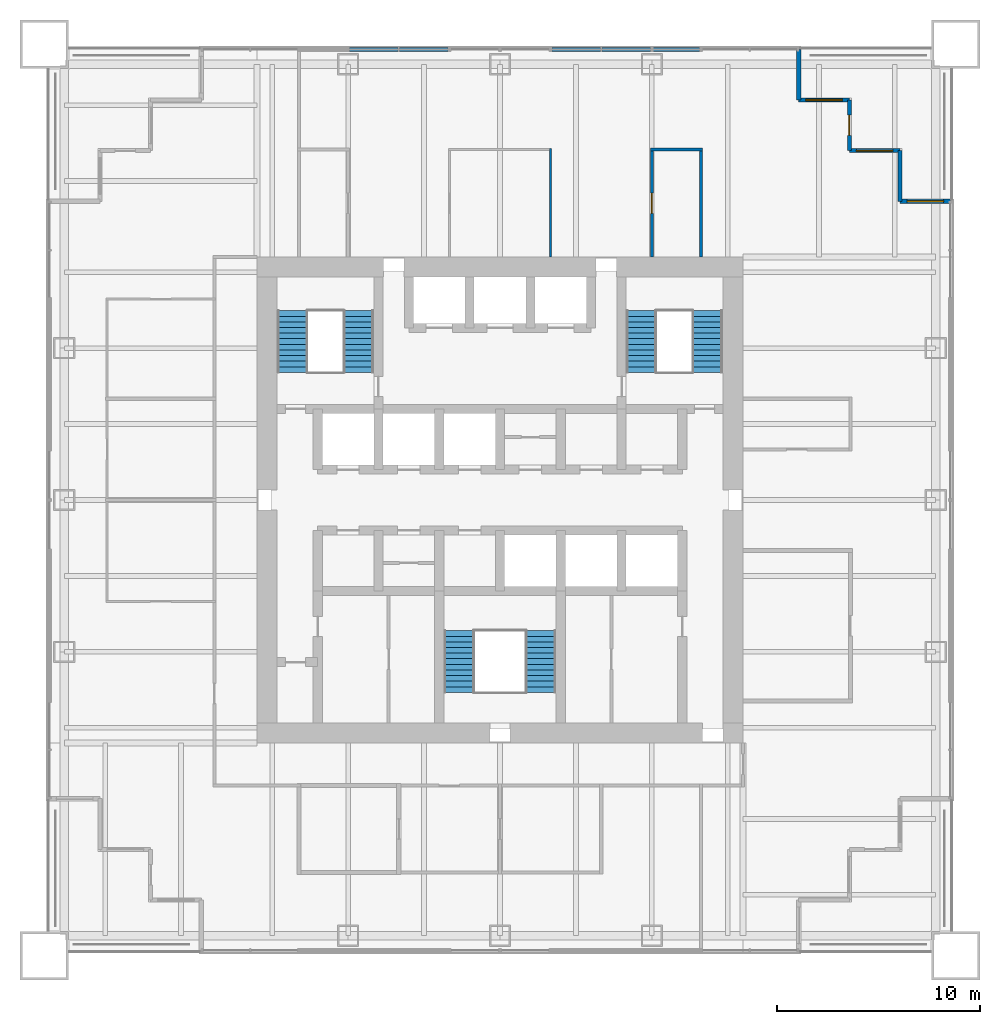
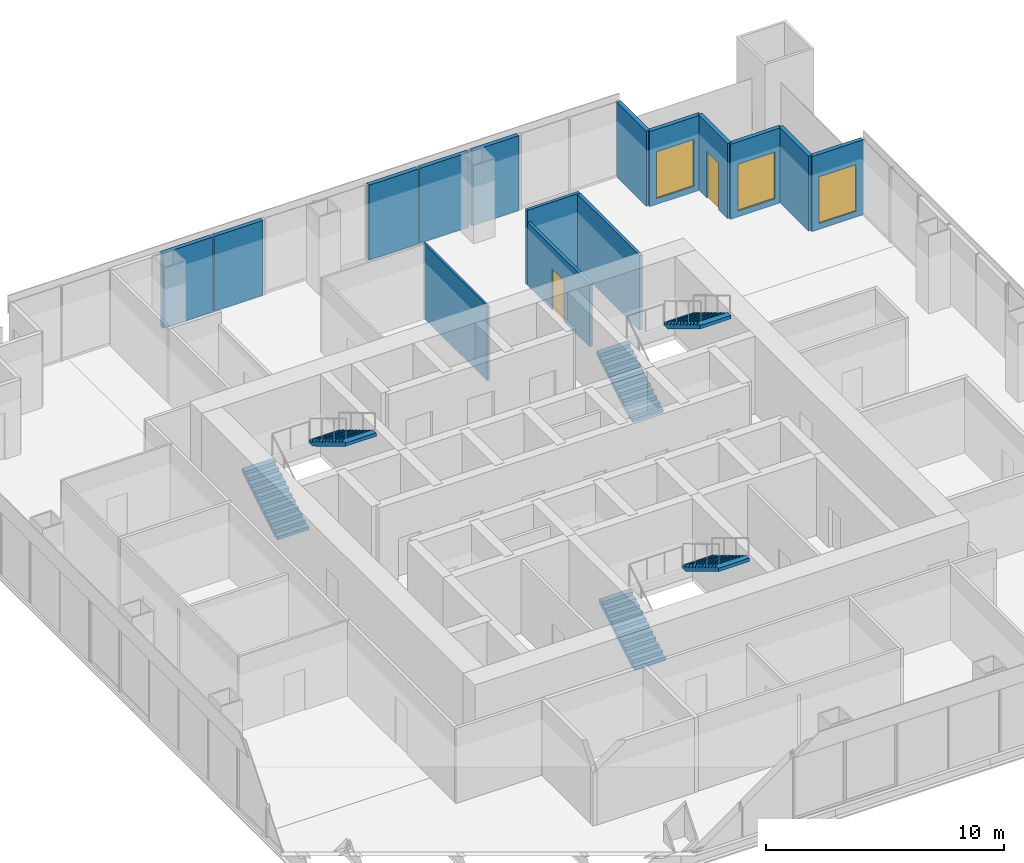
# One storey, part 11 of 13: 15 walls, 6 stair flights, 3 windows, 2 doors, 5 openings, 3 elements without a shape of their own.
"""IFC4 building model written with IfcOpenShell, lengths in metres."""

from ifc_helpers import new_model, si_unit, direction, frame, frame_2d, origin, place, context, subcontext, project, spatial, polyline, rectangle, outline, extrude, material, layer, layer_set, type_object, element, fill, aggregate, save


model = new_model("IFC4")

# Units and contexts
model_context = context("Model", 3, precision=1e-05, world=origin(), true_north=direction((0.0, 1.0)))
body_context = subcontext(model_context, "Body", "Model", "MODEL_VIEW")
ifc_project = project(units=[si_unit("LENGTHUNIT", "METRE"), si_unit("AREAUNIT", "SQUARE_METRE"), si_unit("VOLUMEUNIT", "CUBIC_METRE"), si_unit("PLANEANGLEUNIT", "RADIAN"), si_unit("MASSUNIT", "GRAM", prefix="KILO")], contexts=[model_context])

# Site, building, storey
site_placement = place(None, origin())
site = spatial("IfcSite", under=ifc_project, at=site_placement, CompositionType="ELEMENT")
building_placement = place(site_placement, origin())
building = spatial("IfcBuilding", under=site, at=building_placement, Name="Tarangal Relay Tower", CompositionType="ELEMENT")
storey_placement = place(building_placement, frame((0.0, 0.0, 237.89990234375)))
storey = spatial("IfcBuildingStorey", under=building, at=storey_placement, Name="L51", CompositionType="ELEMENT", Elevation=237.89990234375)

# Wall
ifc_material_1 = material(Name="Black metal clad insulated wall", Category="steel")
ifc_layer_1 = layer(ifc_material_1, 0.199951171875)
ifc_layer_set_1 = layer_set([ifc_layer_1], Name="Corner wall metal clad 200")
wall_type_1 = type_object("IfcWallType", Name="Corner wall metal clad 200", PredefinedType="SOLIDWALL", material=ifc_layer_set_1)
wall_1_placement = place(storey_placement, frame((14.75, 22.25, 0.0), z_axis=(0.0, 0.0, 1.0), x_axis=(0.0, -1.0, 0.0)))
element("IfcWall", 1, at=wall_1_placement, inside=storey, type_object=wall_type_1, Name="Facade wall N facade L51", PredefinedType="SOLIDWALL", context=body_context, shape_type="SweptSolid", body=[
    extrude(rectangle(XDim=2.5, YDim=0.199951171875, at=frame_2d((1.25, 0.0))), origin(), (0.0, 0.0, 1.0), 3.85009765625),
])

# Wall, opening, window
wall_2_placement = place(storey_placement, frame((14.75, 19.75, 0.0), z_axis=(0.0, 0.0, 1.0), x_axis=(1.0, 0.0, 0.0)))
wall_2 = element("IfcWall", 2, at=wall_2_placement, inside=storey, type_object=wall_type_1, Name="Facade wall N facade L51", PredefinedType="SOLIDWALL", context=body_context, shape_type="SweptSolid", body=[
    extrude(rectangle(XDim=2.5, YDim=0.199951171875, at=frame_2d((1.25, 0.0))), origin(), (0.0, 0.0, 1.0), 3.85009765625),
])
opening_1_placement = place(wall_2_placement, frame((0.35009765625, 0.0, 0.300048828125)))
opening_1 = element("IfcOpeningElement", 3, at=opening_1_placement, cuts=wall_2, Name="Opening WN2", PredefinedType="OPENING", context=body_context, shape_type="SweptSolid", body=[
    extrude(rectangle(XDim=1.800048828125, YDim=2.39990234375, at=frame_2d((0.89990234375, 1.199951171875))), frame((0.0, 0.10986328125, 0.0), z_axis=(0.0, -1.0, 0.0), x_axis=(1.0, 0.0, 0.0)), (0.0, 0.0, 1.0), 0.219970703125),
])
ifc_material_2 = material(Name="Dark tinted double glazing in black aluminium frame", Category="aluminium")
window_type = type_object("IfcWindowType", Name="Corner window 1800 x 2400", PartitioningType="SINGLE_PANEL", PredefinedType="WINDOW", material=ifc_material_2)
window_1_placement = place(opening_1_placement, origin())
window_1 = element("IfcWindow", 4, at=window_1_placement, inside=storey, type_object=window_type, Name="Corner window WN2 N facade L51", OverallHeight=2.39990234375, OverallWidth=1.800048828125, PartitioningType="SINGLE_PANEL", PredefinedType="WINDOW", context=body_context, shape_type="SweptSolid", body=[
    extrude(rectangle(XDim=1.800048828125, YDim=2.39990234375, at=frame_2d((0.89990234375, 1.199951171875))), frame((0.0, 0.030029296875, 0.0), z_axis=(0.0, -1.0, 0.0), x_axis=(1.0, 0.0, 0.0)), (0.0, 0.0, 1.0), 0.06005859375),
])
fill(opening_1, window_1)

# Wall, opening, door
wall_3_placement = place(storey_placement, frame((17.25, 19.75, 0.0), z_axis=(0.0, 0.0, 1.0), x_axis=(0.0, -1.0, 0.0)))
wall_3 = element("IfcWall", 5, at=wall_3_placement, inside=storey, type_object=wall_type_1, Name="Facade wall N facade L51", PredefinedType="SOLIDWALL", context=body_context, shape_type="SweptSolid", body=[
    extrude(rectangle(XDim=2.5, YDim=0.199951171875, at=frame_2d((1.25, 0.0))), origin(), (0.0, 0.0, 1.0), 3.85009765625),
])
opening_2_placement = place(wall_3_placement, frame((0.75, 0.0, 0.0)))
opening_2 = element("IfcOpeningElement", 6, at=opening_2_placement, cuts=wall_3, Name="Opening TD1", PredefinedType="OPENING", context=body_context, shape_type="SweptSolid", body=[
    extrude(rectangle(XDim=1.0, YDim=2.39990234375, at=frame_2d((0.5, 1.199951171875))), frame((0.0, 0.10986328125, 0.0), z_axis=(0.0, -1.0, 0.0), x_axis=(1.0, 0.0, 0.0)), (0.0, 0.0, 1.0), 0.219970703125),
])
ifc_material_3 = material(Name="Aluminium glazed door", Category="aluminium")
door_type_1 = type_object("IfcDoorType", Name="Terrace door 1000 x 2400", OperationType="SINGLE_SWING_RIGHT", PredefinedType="DOOR", material=ifc_material_3)
door_1_placement = place(opening_2_placement, origin())
door_1 = element("IfcDoor", 7, at=door_1_placement, inside=storey, type_object=door_type_1, Name="Terrace door TD1 NE L51", OperationType="SINGLE_SWING_RIGHT", OverallHeight=2.39990234375, OverallWidth=1.0, PredefinedType="DOOR", context=body_context, shape_type="SweptSolid", body=[
    extrude(rectangle(XDim=1.0, YDim=2.39990234375, at=frame_2d((0.5, 1.199951171875))), frame((0.0, 0.02490234375, 0.0), z_axis=(0.0, -1.0, 0.0), x_axis=(1.0, 0.0, 0.0)), (0.0, 0.0, 1.0), 0.050048828125),
])
fill(opening_2, door_1)

# Wall, opening, window
wall_4_placement = place(storey_placement, frame((17.25, 17.25, 0.0), z_axis=(0.0, 0.0, 1.0), x_axis=(1.0, 0.0, 0.0)))
wall_4 = element("IfcWall", 8, at=wall_4_placement, inside=storey, type_object=wall_type_1, Name="Facade wall N facade L51", PredefinedType="SOLIDWALL", context=body_context, shape_type="SweptSolid", body=[
    extrude(rectangle(XDim=2.5, YDim=0.199951171875, at=frame_2d((1.25, 0.0))), origin(), (0.0, 0.0, 1.0), 3.85009765625),
])
opening_3_placement = place(wall_4_placement, frame((0.35009765625, 0.0, 0.300048828125)))
opening_3 = element("IfcOpeningElement", 9, at=opening_3_placement, cuts=wall_4, Name="Opening WN2", PredefinedType="OPENING", context=body_context, shape_type="SweptSolid", body=[
    extrude(rectangle(XDim=1.800048828125, YDim=2.39990234375, at=frame_2d((0.89990234375, 1.199951171875))), frame((0.0, 0.10986328125, 0.0), z_axis=(0.0, -1.0, 0.0), x_axis=(1.0, 0.0, 0.0)), (0.0, 0.0, 1.0), 0.219970703125),
])
window_2_placement = place(opening_3_placement, origin())
window_2 = element("IfcWindow", 10, at=window_2_placement, inside=storey, type_object=window_type, Name="Corner window WN2 N facade L51", OverallHeight=2.39990234375, OverallWidth=1.800048828125, PartitioningType="SINGLE_PANEL", PredefinedType="WINDOW", context=body_context, shape_type="SweptSolid", body=[
    extrude(rectangle(XDim=1.800048828125, YDim=2.39990234375, at=frame_2d((0.89990234375, 1.199951171875))), frame((0.0, 0.030029296875, 0.0), z_axis=(0.0, -1.0, 0.0), x_axis=(1.0, 0.0, 0.0)), (0.0, 0.0, 1.0), 0.06005859375),
])
fill(opening_3, window_2)

# Wall
wall_5_placement = place(storey_placement, frame((19.75, 17.25, 0.0), z_axis=(0.0, 0.0, 1.0), x_axis=(0.0, -1.0, 0.0)))
element("IfcWall", 11, at=wall_5_placement, inside=storey, type_object=wall_type_1, Name="Facade wall N facade L51", PredefinedType="SOLIDWALL", context=body_context, shape_type="SweptSolid", body=[
    extrude(rectangle(XDim=2.5, YDim=0.199951171875, at=frame_2d((1.25, 0.0))), origin(), (0.0, 0.0, 1.0), 3.85009765625),
])

# Wall, opening, window
wall_6_placement = place(storey_placement, frame((19.75, 14.75, 0.0), z_axis=(0.0, 0.0, 1.0), x_axis=(1.0, 0.0, 0.0)))
wall_6 = element("IfcWall", 12, at=wall_6_placement, inside=storey, type_object=wall_type_1, Name="Facade wall N facade L51", PredefinedType="SOLIDWALL", context=body_context, shape_type="SweptSolid", body=[
    extrude(rectangle(XDim=2.5, YDim=0.199951171875, at=frame_2d((1.25, 0.0))), origin(), (0.0, 0.0, 1.0), 3.85009765625),
])
opening_4_placement = place(wall_6_placement, frame((0.35009765625, 0.0, 0.300048828125)))
opening_4 = element("IfcOpeningElement", 13, at=opening_4_placement, cuts=wall_6, Name="Opening WN2", PredefinedType="OPENING", context=body_context, shape_type="SweptSolid", body=[
    extrude(rectangle(XDim=1.800048828125, YDim=2.39990234375, at=frame_2d((0.89990234375, 1.199951171875))), frame((0.0, 0.10986328125, 0.0), z_axis=(0.0, -1.0, 0.0), x_axis=(1.0, 0.0, 0.0)), (0.0, 0.0, 1.0), 0.219970703125),
])
window_3_placement = place(opening_4_placement, origin())
window_3 = element("IfcWindow", 14, at=window_3_placement, inside=storey, type_object=window_type, Name="Corner window WN2 N facade L51", OverallHeight=2.39990234375, OverallWidth=1.800048828125, PartitioningType="SINGLE_PANEL", PredefinedType="WINDOW", context=body_context, shape_type="SweptSolid", body=[
    extrude(rectangle(XDim=1.800048828125, YDim=2.39990234375, at=frame_2d((0.89990234375, 1.199951171875))), frame((0.0, 0.030029296875, 0.0), z_axis=(0.0, -1.0, 0.0), x_axis=(1.0, 0.0, 0.0)), (0.0, 0.0, 1.0), 0.06005859375),
])
fill(opening_4, window_3)

# Walls
ifc_layer_2 = layer(ifc_material_1, 0.199951171875)
ifc_layer_set_2 = layer_set([ifc_layer_2], Name="Facade infill wall metal clad 200")
wall_type_2 = type_object("IfcWallType", Name="Facade infill wall metal clad 200", PredefinedType="SOLIDWALL", material=ifc_layer_set_2)
for number, where, z_axis, x_axis, name in (
    (15, (-7.43505859375, 22.25, 0.0), (0.0, 0.0, 1.0), (1.0, 0.0, 0.0), "Facade infill wall N facade L51 1.1"),
    (16, (-4.967529296875, 22.25, 0.0), (0.0, 0.0, 1.0), (1.0, 0.0, 0.0), "Facade infill wall N facade L51 2.1"),
    (17, (2.56494140625, 22.25, 0.0), (0.0, 0.0, 1.0), (1.0, 0.0, 0.0), "Facade infill wall N facade L51 1.1"),
    (18, (5.032470703125, 22.25, 0.0), (0.0, 0.0, 1.0), (1.0, 0.0, 0.0), "Facade infill wall N facade L51 2.1"),
):
    element("IfcWall", number, at=place(storey_placement, frame(where, z_axis=z_axis, x_axis=x_axis)), inside=storey, type_object=wall_type_2, Name=name, PredefinedType="SOLIDWALL", context=body_context, shape_type="SweptSolid", body=[
        extrude(rectangle(XDim=2.402587890625, YDim=0.199951171875, at=frame_2d((1.201171875, 0.0))), origin(), (0.0, 0.0, 1.0), 3.85009765625),
    ])
wall_7_placement = place(storey_placement, frame((7.56494140625, 22.25, 0.0), z_axis=(0.0, 0.0, 1.0), x_axis=(1.0, 0.0, 0.0)))
element("IfcWall", 19, at=wall_7_placement, inside=storey, type_object=wall_type_2, Name="Facade infill wall N facade L51 1.1", PredefinedType="SOLIDWALL", context=body_context, shape_type="SweptSolid", body=[
    extrude(rectangle(XDim=2.286865234375, YDim=0.199951171875, at=frame_2d((1.1435546875, 0.0))), origin(), (0.0, 0.0, 1.0), 3.85009765625),
])
ifc_material_4 = material(Name="Double glazed aluminium framed partition", Category="aluminium")
ifc_layer_3 = layer(ifc_material_4, 0.10009765625)
ifc_layer_set_3 = layer_set([ifc_layer_3], Name="Glazed partition 100")
wall_type_3 = type_object("IfcWallType", Name="Glazed partition 100", PredefinedType="PARTITIONING", material=ifc_layer_set_3)
wall_8_placement = place(storey_placement, frame((2.5, 12.0, 0.0), z_axis=(0.0, 0.0, 1.0), x_axis=(0.0, 1.0, 0.0)))
element("IfcWall", 20, at=wall_8_placement, inside=storey, type_object=wall_type_3, Name="Partition PT3 L51", PredefinedType="PARTITIONING", context=body_context, shape_type="SweptSolid", body=[
    extrude(rectangle(XDim=5.35009765625, YDim=0.10009765625, at=frame_2d((2.675048828125, 0.0))), origin(), (0.0, 0.0, 1.0), 3.85009765625),
])
ifc_material_5 = material(Name="Gypsum board on steel studs", Category="steel")
ifc_layer_4 = layer(ifc_material_5, 0.14990234375)
ifc_layer_set_4 = layer_set([ifc_layer_4], Name="Partition 150")
wall_type_4 = type_object("IfcWallType", Name="Partition 150", PredefinedType="PARTITIONING", material=ifc_layer_set_4)
wall_9_placement = place(storey_placement, frame((7.425048828125, 17.300048828125, 0.0), z_axis=(0.0, 0.0, 1.0), x_axis=(1.0, 0.0, 0.0)))
element("IfcWall", 21, at=wall_9_placement, inside=storey, type_object=wall_type_4, Name="Partition PT1 L51", PredefinedType="PARTITIONING", context=body_context, shape_type="SweptSolid", body=[
    extrude(rectangle(XDim=2.56689453125, YDim=0.14990234375, at=frame_2d((1.283447265625, 0.0))), origin(), (0.0, 0.0, 1.0), 3.85009765625),
])

# Wall, opening, door
wall_10_placement = place(storey_placement, frame((7.5, 12.0, 0.0), z_axis=(0.0, 0.0, 1.0), x_axis=(0.0, 1.0, 0.0)))
wall_10 = element("IfcWall", 22, at=wall_10_placement, inside=storey, type_object=wall_type_4, Name="Partition PT1 L51", PredefinedType="PARTITIONING", context=body_context, shape_type="SweptSolid", body=[
    extrude(rectangle(XDim=5.375, YDim=0.14990234375, at=frame_2d((2.6875, 0.0))), origin(), (0.0, 0.0, 1.0), 3.238037109375),
])
opening_5_placement = place(wall_10_placement, frame((2.14990234375, 0.0, 0.0)))
opening_5 = element("IfcOpeningElement", 23, at=opening_5_placement, cuts=wall_10, Name="Opening D2", PredefinedType="OPENING", context=body_context, shape_type="SweptSolid", body=[
    extrude(rectangle(XDim=1.0, YDim=2.10009765625, at=frame_2d((0.5, 1.050048828125))), frame((0.0, 0.0849609375, 0.0), z_axis=(0.0, -1.0, 0.0), x_axis=(1.0, 0.0, 0.0)), (0.0, 0.0, 1.0), 0.169921875),
])
ifc_material_6 = material(Name="Hardwood door", Category="wood")
door_type_2 = type_object("IfcDoorType", Name="Door 1000 x 2100", OperationType="SINGLE_SWING_LEFT", PredefinedType="DOOR", material=ifc_material_6)
door_2_placement = place(opening_5_placement, origin())
door_2 = element("IfcDoor", 24, at=door_2_placement, inside=storey, type_object=door_type_2, Name="Door D2 to cellular office L51-04", OperationType="SINGLE_SWING_LEFT", OverallHeight=2.10009765625, OverallWidth=1.0, PredefinedType="DOOR", context=body_context, shape_type="SweptSolid", body=[
    extrude(rectangle(XDim=1.0, YDim=2.10009765625, at=frame_2d((0.5, 1.050048828125))), frame((0.0, 0.02490234375, 0.0), z_axis=(0.0, -1.0, 0.0), x_axis=(1.0, 0.0, 0.0)), (0.0, 0.0, 1.0), 0.050048828125),
])
fill(opening_5, door_2)

# Wall
wall_11_placement = place(storey_placement, frame((9.9169921875, 12.0, 0.0), z_axis=(0.0, 0.0, 1.0), x_axis=(0.0, 1.0, 0.0)))
element("IfcWall", 25, at=wall_11_placement, inside=storey, type_object=wall_type_4, Name="Partition PT1 L51", PredefinedType="PARTITIONING", context=body_context, shape_type="SweptSolid", body=[
    extrude(rectangle(XDim=5.375, YDim=0.14990234375, at=frame_2d((2.6875, 0.0))), origin(), (0.0, 0.0, 1.0), 3.85009765625),
])

# Stair, stair flights
ifc_material_7 = material(Name="Steel ASTM A992 stair flight", Category="steel")
stair_type = type_object("IfcStairType", Name="Core stair 1500", PredefinedType="HALF_TURN_STAIR", material=ifc_material_7)
stair_1_placement = place(storey_placement, origin())
stair_1 = element("IfcStair", 26, at=stair_1_placement, inside=storey, type_object=stair_type, Name="Stair ST-A L51", PredefinedType="HALF_TURN_STAIR")
stair_flight_type = type_object("IfcStairFlightType", Name="Steel stair flight 1500, 12 risers 167 x 277", PredefinedType="STRAIGHT", material=ifc_material_7)
stair_flight_1_placement = place(storey_placement, frame((-10.25, 6.300048828125, 0.0), z_axis=(0.0, 0.0, 1.0), x_axis=(0.0, 1.0, 0.0)))
stair_flight_1 = element("IfcStairFlight", 27, at=stair_flight_1_placement, type_object=stair_flight_type, Name="ST-A flight 1", NumberOfRisers=12, NumberOfTreads=11, PredefinedType="STRAIGHT", RiserHeight=0.166666667, TreadLength=0.277, context=body_context, shape_type="SweptSolid", body=[
    extrude(outline(polyline([(0.0, 0.0), (0.0, 0.166748046875), (0.277099609375, 0.166748046875), (0.277099609375, 0.333251953125), (0.553955078125, 0.333251953125), (0.553955078125, 0.5), (0.8310546875, 0.5), (0.8310546875, 0.666748046875), (1.10791015625, 0.666748046875), (1.10791015625, 0.833251953125), (1.385009765625, 0.833251953125), (1.385009765625, 1.0), (1.662109375, 1.0), (1.662109375, 1.166748046875), (1.93896484375, 1.166748046875), (1.93896484375, 1.333251953125), (2.216064453125, 1.333251953125), (2.216064453125, 1.5), (2.492919921875, 1.5), (2.492919921875, 1.666748046875), (2.77001953125, 1.666748046875), (2.77001953125, 1.833251953125), (3.047119140625, 1.833251953125), (3.047119140625, 2.0), (3.047119140625, 1.658447265625), (0.290771484375, 0.0), (0.0, 0.0)])), frame((0.0, 0.75, 0.0), z_axis=(0.0, -1.0, 0.0), x_axis=(1.0, 0.0, 0.0)), (0.0, 0.0, 1.0), 1.5),
])
stair_flight_2_placement = place(storey_placement, frame((-6.97509765625, 9.346923828125, 2.0), z_axis=(0.0, 0.0, 1.0), x_axis=(0.0, -1.0, 0.0)))
stair_flight_2 = element("IfcStairFlight", 28, at=stair_flight_2_placement, type_object=stair_flight_type, Name="ST-A flight 2", NumberOfRisers=12, NumberOfTreads=11, PredefinedType="STRAIGHT", RiserHeight=0.166666667, TreadLength=0.277, context=body_context, shape_type="SweptSolid", body=[
    extrude(outline(polyline([(0.0, 0.0), (0.0, 0.166748046875), (0.277099609375, 0.166748046875), (0.277099609375, 0.333251953125), (0.553955078125, 0.333251953125), (0.553955078125, 0.5), (0.8310546875, 0.5), (0.8310546875, 0.666748046875), (1.10791015625, 0.666748046875), (1.10791015625, 0.833251953125), (1.385009765625, 0.833251953125), (1.385009765625, 1.0), (1.662109375, 1.0), (1.662109375, 1.166748046875), (1.93896484375, 1.166748046875), (1.93896484375, 1.333251953125), (2.216064453125, 1.333251953125), (2.216064453125, 1.5), (2.492919921875, 1.5), (2.492919921875, 1.666748046875), (2.77001953125, 1.666748046875), (2.77001953125, 1.833251953125), (3.047119140625, 1.833251953125), (3.047119140625, 2.0), (3.047119140625, 1.658447265625), (0.290771484375, 0.0), (0.0, 0.0)])), frame((0.0, 0.75, 0.0), z_axis=(0.0, -1.0, 0.0), x_axis=(1.0, 0.0, 0.0)), (0.0, 0.0, 1.0), 1.5),
])
aggregate(stair_1, [stair_flight_1, stair_flight_2])

stair_2_placement = place(storey_placement, origin())
stair_2 = element("IfcStair", 29, at=stair_2_placement, inside=storey, type_object=stair_type, Name="Stair ST-B L51", PredefinedType="HALF_TURN_STAIR")
stair_flight_3_placement = place(storey_placement, frame((6.97509765625, 6.300048828125, 0.0), z_axis=(0.0, 0.0, 1.0), x_axis=(0.0, 1.0, 0.0)))
stair_flight_3 = element("IfcStairFlight", 30, at=stair_flight_3_placement, type_object=stair_flight_type, Name="ST-B flight 1", NumberOfRisers=12, NumberOfTreads=11, PredefinedType="STRAIGHT", RiserHeight=0.166666667, TreadLength=0.277, context=body_context, shape_type="SweptSolid", body=[
    extrude(outline(polyline([(0.0, 0.0), (0.0, 0.166748046875), (0.277099609375, 0.166748046875), (0.277099609375, 0.333251953125), (0.553955078125, 0.333251953125), (0.553955078125, 0.5), (0.8310546875, 0.5), (0.8310546875, 0.666748046875), (1.10791015625, 0.666748046875), (1.10791015625, 0.833251953125), (1.385009765625, 0.833251953125), (1.385009765625, 1.0), (1.662109375, 1.0), (1.662109375, 1.166748046875), (1.93896484375, 1.166748046875), (1.93896484375, 1.333251953125), (2.216064453125, 1.333251953125), (2.216064453125, 1.5), (2.492919921875, 1.5), (2.492919921875, 1.666748046875), (2.77001953125, 1.666748046875), (2.77001953125, 1.833251953125), (3.047119140625, 1.833251953125), (3.047119140625, 2.0), (3.047119140625, 1.658447265625), (0.290771484375, 0.0), (0.0, 0.0)])), frame((0.0, 0.75, 0.0), z_axis=(0.0, -1.0, 0.0), x_axis=(1.0, 0.0, 0.0)), (0.0, 0.0, 1.0), 1.5),
])
stair_flight_4_placement = place(storey_placement, frame((10.25, 9.346923828125, 2.0), z_axis=(0.0, 0.0, 1.0), x_axis=(0.0, -1.0, 0.0)))
stair_flight_4 = element("IfcStairFlight", 31, at=stair_flight_4_placement, type_object=stair_flight_type, Name="ST-B flight 2", NumberOfRisers=12, NumberOfTreads=11, PredefinedType="STRAIGHT", RiserHeight=0.166666667, TreadLength=0.277, context=body_context, shape_type="SweptSolid", body=[
    extrude(outline(polyline([(0.0, 0.0), (0.0, 0.166748046875), (0.277099609375, 0.166748046875), (0.277099609375, 0.333251953125), (0.553955078125, 0.333251953125), (0.553955078125, 0.5), (0.8310546875, 0.5), (0.8310546875, 0.666748046875), (1.10791015625, 0.666748046875), (1.10791015625, 0.833251953125), (1.385009765625, 0.833251953125), (1.385009765625, 1.0), (1.662109375, 1.0), (1.662109375, 1.166748046875), (1.93896484375, 1.166748046875), (1.93896484375, 1.333251953125), (2.216064453125, 1.333251953125), (2.216064453125, 1.5), (2.492919921875, 1.5), (2.492919921875, 1.666748046875), (2.77001953125, 1.666748046875), (2.77001953125, 1.833251953125), (3.047119140625, 1.833251953125), (3.047119140625, 2.0), (3.047119140625, 1.658447265625), (0.290771484375, 0.0), (0.0, 0.0)])), frame((0.0, 0.75, 0.0), z_axis=(0.0, -1.0, 0.0), x_axis=(1.0, 0.0, 0.0)), (0.0, 0.0, 1.0), 1.5),
])
aggregate(stair_2, [stair_flight_3, stair_flight_4])

stair_3_placement = place(storey_placement, origin())
stair_3 = element("IfcStair", 32, at=stair_3_placement, inside=storey, type_object=stair_type, Name="Stair ST-C L51", PredefinedType="HALF_TURN_STAIR")
stair_flight_5_placement = place(storey_placement, frame((-2.02490234375, -9.5, 0.0), z_axis=(0.0, 0.0, 1.0), x_axis=(0.0, 1.0, 0.0)))
stair_flight_5 = element("IfcStairFlight", 33, at=stair_flight_5_placement, type_object=stair_flight_type, Name="ST-C flight 1", NumberOfRisers=12, NumberOfTreads=11, PredefinedType="STRAIGHT", RiserHeight=0.166666667, TreadLength=0.277, context=body_context, shape_type="SweptSolid", body=[
    extrude(outline(polyline([(0.0, 0.0), (0.0, 0.166748046875), (0.277099609375, 0.166748046875), (0.277099609375, 0.333251953125), (0.553955078125, 0.333251953125), (0.553955078125, 0.5), (0.8310546875, 0.5), (0.8310546875, 0.666748046875), (1.10791015625, 0.666748046875), (1.10791015625, 0.833251953125), (1.385009765625, 0.833251953125), (1.385009765625, 1.0), (1.662109375, 1.0), (1.662109375, 1.166748046875), (1.93896484375, 1.166748046875), (1.93896484375, 1.333251953125), (2.216064453125, 1.333251953125), (2.216064453125, 1.5), (2.492919921875, 1.5), (2.492919921875, 1.666748046875), (2.77001953125, 1.666748046875), (2.77001953125, 1.833251953125), (3.047119140625, 1.833251953125), (3.047119140625, 2.0), (3.047119140625, 1.658447265625), (0.290771484375, 0.0), (0.0, 0.0)])), frame((0.0, 0.75, 0.0), z_axis=(0.0, -1.0, 0.0), x_axis=(1.0, 0.0, 0.0)), (0.0, 0.0, 1.0), 1.5),
])
stair_flight_6_placement = place(storey_placement, frame((2.02490234375, -6.452880859375, 2.0), z_axis=(0.0, 0.0, 1.0), x_axis=(0.0, -1.0, 0.0)))
stair_flight_6 = element("IfcStairFlight", 34, at=stair_flight_6_placement, type_object=stair_flight_type, Name="ST-C flight 2", NumberOfRisers=12, NumberOfTreads=11, PredefinedType="STRAIGHT", RiserHeight=0.166666667, TreadLength=0.277, context=body_context, shape_type="SweptSolid", body=[
    extrude(outline(polyline([(0.0, 0.0), (0.0, 0.166748046875), (0.277099609375, 0.166748046875), (0.277099609375, 0.333251953125), (0.553955078125, 0.333251953125), (0.553955078125, 0.5), (0.8310546875, 0.5), (0.8310546875, 0.666748046875), (1.10791015625, 0.666748046875), (1.10791015625, 0.833251953125), (1.385009765625, 0.833251953125), (1.385009765625, 1.0), (1.662109375, 1.0), (1.662109375, 1.166748046875), (1.93896484375, 1.166748046875), (1.93896484375, 1.333251953125), (2.216064453125, 1.333251953125), (2.216064453125, 1.5), (2.492919921875, 1.5), (2.492919921875, 1.666748046875), (2.77001953125, 1.666748046875), (2.77001953125, 1.833251953125), (3.047119140625, 1.833251953125), (3.047119140625, 2.0), (3.047119140625, 1.658447265625), (0.290771484375, 0.0), (0.0, 0.0)])), frame((0.0, 0.75, 0.0), z_axis=(0.0, -1.0, 0.0), x_axis=(1.0, 0.0, 0.0)), (0.0, 0.0, 1.0), 1.5),
])
aggregate(stair_3, [stair_flight_5, stair_flight_6])

save(model, "model.ifc")
